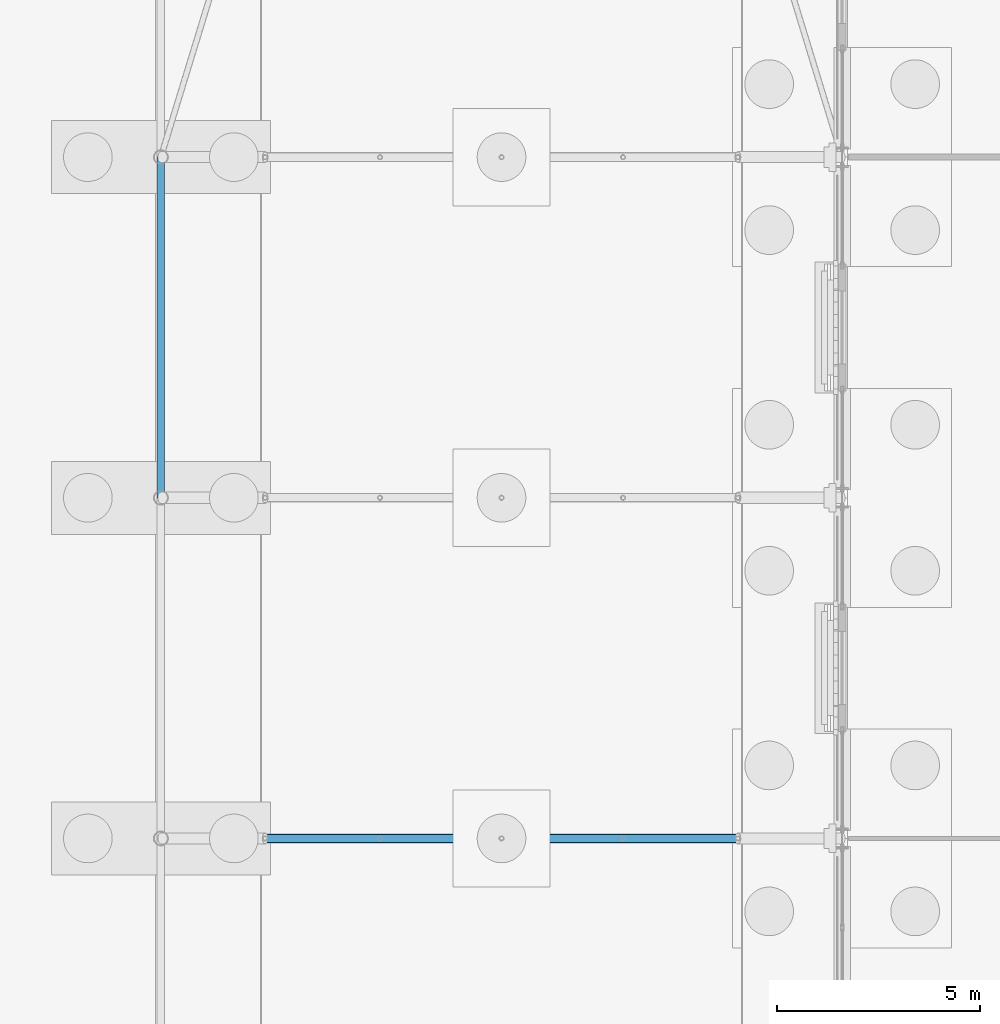
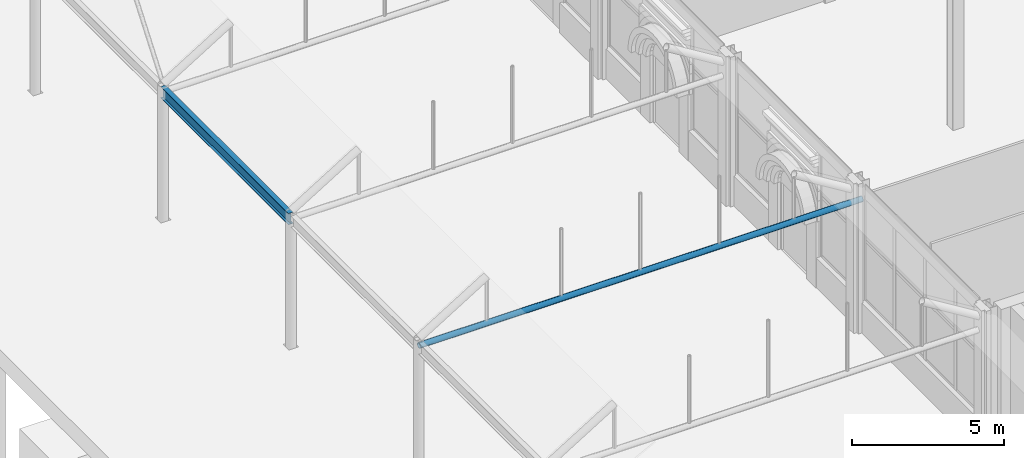
# One storey, part 147 of 212: 2 beams.
"""IFC4 building model written with IfcOpenShell, lengths in metres."""

import ifcopenshell
import ifcopenshell.guid

model = None  # the IFC model being written
_history = None  # IfcOwnerHistory: only IFC2X3 demands one
_inside = {}  # id of a spatial element -> (the spatial element, [elements in it])
_under = {}  # id of a project, library or spatial element -> (it, [spatial elements below it])
_declared = {}  # id of a project -> (the project, [libraries it declares])
_typed = {}  # id of a type object -> (the type object, [elements of that type])
_made_of = {}  # id of a material, layer set ... -> (it, [elements and type objects made of it])


def new_model(schema):
    """Start an empty IFC model of exactly this schema.

    Asked for "IFC4X3", IfcOpenShell would pick the latest addendum, in which some entities
    have other attributes; the version numbers below select the first issue.
    IFC2X3 requires an IfcOwnerHistory on every rooted entity: one is made here for all.
    """
    global model, _history
    if schema == "IFC4X3":
        model = ifcopenshell.file(schema_version=(4, 3, 0, 0))
    else:
        model = ifcopenshell.file(schema=schema)
    _inside.clear()
    _under.clear()
    _declared.clear()
    _typed.clear()
    _made_of.clear()
    _history = None
    if model.schema == "IFC2X3":
        org = make("IfcOrganization", Name="unknown")
        user = make(
            "IfcPersonAndOrganization",
            ThePerson=make("IfcPerson", FamilyName="unknown"),
            TheOrganization=org,
        )
        app = make(
            "IfcApplication",
            ApplicationDeveloper=org,
            Version="unknown",
            ApplicationFullName="unknown",
            ApplicationIdentifier="unknown",
        )
        _history = make(
            "IfcOwnerHistory",
            OwningUser=user,
            OwningApplication=app,
            ChangeAction="ADDED",
            CreationDate=0,
        )
    return model


def make(cls, **values):
    """One entity of the class cls with the attributes given. An attribute that is None is left unset."""
    return model.create_entity(
        cls, **{name: value for name, value in values.items() if value is not None}
    )


def rooted(cls, **values):
    """An entity with a GlobalId (a new one), such as an element, a storey or a relation."""
    return make(cls, GlobalId=ifcopenshell.guid.new(), OwnerHistory=_history, **values)


def si_unit(unit_type, name, prefix=None):
    """IfcSIUnit, for example si_unit("LENGTHUNIT", "METRE", prefix="MILLI")."""
    return make("IfcSIUnit", UnitType=unit_type, Prefix=prefix, Name=name)


def assignment(units):
    """IfcUnitAssignment: the units of a project."""
    return None if units is None else make("IfcUnitAssignment", Units=units)


def point(xyz):
    """IfcCartesianPoint."""
    return None if xyz is None else make("IfcCartesianPoint", Coordinates=xyz)


def direction(xyz):
    """IfcDirection."""
    return None if xyz is None else make("IfcDirection", DirectionRatios=xyz)


def frame(location, z_axis=None, x_axis=None):
    """IfcAxis2Placement3D, a coordinate frame: its origin and axes. An axis left out is left unset."""
    return make(
        "IfcAxis2Placement3D",
        Location=point(location),
        Axis=direction(z_axis),
        RefDirection=direction(x_axis),
    )


def frame_2d(location, x_axis=None):
    """IfcAxis2Placement2D, a coordinate frame in the plane: its origin and x axis."""
    return make(
        "IfcAxis2Placement2D", Location=point(location), RefDirection=direction(x_axis)
    )


def origin():
    """The frame at (0, 0, 0) with its axes left unset."""
    return frame((0.0, 0.0, 0.0))


def origin_2d():
    """The frame at (0, 0) in the plane with its x axis left unset."""
    return frame_2d((0.0, 0.0))


def place(relative_to, where):
    """IfcLocalPlacement: puts the frame where relative to a parent placement (None: the world)."""
    return make(
        "IfcLocalPlacement", PlacementRelTo=relative_to, RelativePlacement=where
    )


def context(
    kind, dimensions, precision=None, world=None, true_north=None, identifier=None
):
    """IfcGeometricRepresentationContext, for example the 3D "Model" context."""
    return make(
        "IfcGeometricRepresentationContext",
        ContextIdentifier=identifier,
        ContextType=kind,
        CoordinateSpaceDimension=dimensions,
        Precision=precision,
        WorldCoordinateSystem=world,
        TrueNorth=true_north,
    )


def subcontext(parent, identifier, kind, view, scale=None):
    """IfcGeometricRepresentationSubContext, for example "Body" below "Model"."""
    return make(
        "IfcGeometricRepresentationSubContext",
        ContextIdentifier=identifier,
        ContextType=kind,
        ParentContext=parent,
        TargetScale=scale,
        TargetView=view,
    )


def project(units=None, contexts=None):
    """IfcProject with its units and contexts."""
    return rooted(
        "IfcProject",
        Name="project",
        RepresentationContexts=contexts,
        UnitsInContext=assignment(units),
    )


def spatial(cls, under=None, at=None, **own):
    """A site, building, storey or space (cls), placed at a placement, below another one or the project."""
    s = rooted(cls, ObjectPlacement=at, **own)
    if under is not None:
        _under.setdefault(under.id(), (under, []))[1].append(s)
    return s


def profile(cls, at=None, kind="AREA", **sizes):
    """A parametric profile (cls). Its sizes go by their IFC names, for example OverallWidth=200.0."""
    return make(cls, ProfileType=kind, Position=at, **sizes)


def hollow_circle(**sizes):
    """IfcCircleHollowProfileDef."""
    return profile("IfcCircleHollowProfileDef", **sizes)


def i_section(**sizes):
    """IfcIShapeProfileDef."""
    return profile("IfcIShapeProfileDef", **sizes)


def extrude(swept, where, along, depth):
    """IfcExtrudedAreaSolid: the profile swept, set in the frame where, extruded along a direction by depth."""
    return make(
        "IfcExtrudedAreaSolid",
        SweptArea=swept,
        Position=where,
        ExtrudedDirection=direction(along),
        Depth=depth,
    )


def shape(context_of_items, identifier, shape_type, items):
    """IfcShapeRepresentation: the items that make up one representation, for example the "Body"."""
    return make(
        "IfcShapeRepresentation",
        ContextOfItems=context_of_items,
        RepresentationIdentifier=identifier,
        RepresentationType=shape_type,
        Items=items,
    )


def material(Name=None, Category=None):
    """IfcMaterial."""
    return make("IfcMaterial", Name=Name, Category=Category)


def material_profile(
    of_material, cross_section, Name=None, Category=None, Priority=None
):
    """IfcMaterialProfile: a cross section and its material."""
    return make(
        "IfcMaterialProfile",
        Name=Name,
        Material=of_material,
        Profile=cross_section,
        Priority=Priority,
        Category=Category,
    )


def profile_set(profiles, Name=None, composite=None):
    """IfcMaterialProfileSet."""
    return make(
        "IfcMaterialProfileSet",
        Name=Name,
        MaterialProfiles=profiles,
        CompositeProfile=composite,
    )


def made_of(thing, what):
    """Note that an element or type object is made of a material, layer set ...; save() writes the relation."""
    if what is not None:
        _made_of.setdefault(what.id(), (what, []))[1].append(thing)
    return thing


def type_object(cls, material=None, **own):
    """A type object (cls), such as IfcWallType, which elements share."""
    return made_of(rooted(cls, **own), material)


def element(
    cls,
    number,
    at=None,
    inside=None,
    cuts=None,
    type_object=None,
    material=None,
    context=None,
    identifier="Body",
    shape_type=None,
    held_by="IfcProductDefinitionShape",
    body=None,
    shapes=None,
    **own,
):
    """One element of the class cls, such as IfcWall. Its Tag is "e" and its number.

    at: its placement. inside: the storey or other place that contains it. cuts: it is an
    opening in that element (IfcRelVoidsElement). A single representation is given by context,
    identifier, shape_type and body (its items); several are given by shapes. held_by: the class
    of the entity that holds the representations. save() writes the other relations.
    """
    e = rooted(cls, Tag="e%d" % number, ObjectPlacement=at, **own)
    if body is not None:
        shapes = [shape(context, identifier, shape_type, body)]
    if shapes is not None:
        e.Representation = make(held_by, Representations=shapes)
    if inside is not None:
        _inside.setdefault(inside.id(), (inside, []))[1].append(e)
    if cuts is not None:
        rooted(
            "IfcRelVoidsElement", RelatingBuildingElement=cuts, RelatedOpeningElement=e
        )
    if type_object is not None:
        _typed.setdefault(type_object.id(), (type_object, []))[1].append(e)
    return made_of(e, material)


def aggregate(whole, parts):
    """IfcRelAggregates: a whole, such as a stair, and the parts it consists of."""
    return rooted("IfcRelAggregates", RelatingObject=whole, RelatedObjects=parts)


def save(model, path):
    """Write the relations noted so far, then the file.

    IfcRelAggregates (storeys below a building ...), IfcRelContainedInSpatialStructure (elements
    in a storey), IfcRelDefinesByType, IfcRelAssociatesMaterial and IfcRelDeclares: one each for
    every whole, place, type object, material and project.
    """
    for whole, parts in _under.values():
        aggregate(whole, parts)
    for where, things in _inside.values():
        rooted(
            "IfcRelContainedInSpatialStructure",
            RelatedElements=things,
            RelatingStructure=where,
        )
    for kind, things in _typed.values():
        rooted("IfcRelDefinesByType", RelatedObjects=things, RelatingType=kind)
    for what, things in _made_of.values():
        rooted("IfcRelAssociatesMaterial", RelatedObjects=things, RelatingMaterial=what)
    for by, libraries in _declared.values():
        rooted("IfcRelDeclares", RelatingContext=by, RelatedDefinitions=libraries)
    model.write(path)


model = new_model("IFC4")

# Units and contexts
model_context = context("Model", 3, precision=1e-05, world=origin(), true_north=direction((0.0, 1.0)))
body_context = subcontext(model_context, "Body", "Model", "MODEL_VIEW")
ifc_project = project(units=[si_unit("LENGTHUNIT", "METRE"), si_unit("AREAUNIT", "SQUARE_METRE"), si_unit("VOLUMEUNIT", "CUBIC_METRE"), si_unit("PLANEANGLEUNIT", "RADIAN"), si_unit("MASSUNIT", "GRAM", prefix="KILO")], contexts=[model_context])

# Site, building, storey
site_placement = place(None, origin())
site = spatial("IfcSite", under=ifc_project, at=site_placement, CompositionType="ELEMENT")
building_placement = place(site_placement, origin())
building = spatial("IfcBuilding", under=site, at=building_placement, Name="Catenary Quay Ferry Terminal", CompositionType="ELEMENT")
storey_placement = place(building_placement, origin())
storey = spatial("IfcBuildingStorey", under=building, at=storey_placement, Name="L00", CompositionType="ELEMENT", Elevation=0.0)

# Beams
ifc_material_1 = material(Name="Steel S355", Category="steel")
ifc_material_profile_1 = material_profile(ifc_material_1, i_section(OverallWidth=0.18994140625, OverallDepth=0.453369140625, WebThickness=0.008544921875, FlangeThickness=0.0126953125, at=origin_2d()), Name="UB 457x191x67")
ifc_profile_set_1 = profile_set([ifc_material_profile_1], Name="Steel S355")
beam_type_1 = type_object("IfcBeamType", Name="B1 UB 457x191x67", PredefinedType="BEAM", material=ifc_profile_set_1)
beam_1_placement = place(storey_placement, frame((8.39990234375, 184.800048828125, 5.10009765625), z_axis=(0.0, 1.0, 0.0), x_axis=(-1.0, 0.0, 0.0)))
element("IfcBeam", 1, at=beam_1_placement, inside=storey, type_object=beam_type_1, Name="Eaves beam B-FB15", PredefinedType="BEAM", context=body_context, shape_type="SweptSolid", body=[
    extrude(i_section(OverallWidth=0.18994140625, OverallDepth=0.453369140625, WebThickness=0.008544921875, FlangeThickness=0.0126953125, at=origin_2d()), origin(), (0.0, 0.0, 1.0), 8.39990234375),
])
ifc_material_2 = material(Name="Steel S355", Category="steel")
ifc_material_profile_2 = material_profile(ifc_material_2, hollow_circle(Radius=0.109619140625, WallThickness=0.010009765625, at=origin_2d()), Name="CHS 219.1x10")
ifc_profile_set_2 = profile_set([ifc_material_profile_2], Name="Steel S355")
beam_type_2 = type_object("IfcBeamType", Name="TB2 CHS 219.1x10", PredefinedType="BEAM", material=ifc_profile_set_2)
beam_2_placement = place(storey_placement, frame((8.39990234375, 176.39990234375, 5.10009765625), z_axis=(1.0, 0.0, 0.0), x_axis=(0.0, 1.0, 0.0)))
element("IfcBeam", 2, at=beam_2_placement, inside=storey, type_object=beam_type_2, Name="tie beam FC-14", PredefinedType="BEAM", context=body_context, shape_type="SweptSolid", body=[
    extrude(hollow_circle(Radius=0.109619140625, WallThickness=0.010009765625, at=origin_2d()), origin(), (0.0, 0.0, 1.0), 16.800048828125),
])

save(model, "model.ifc")
